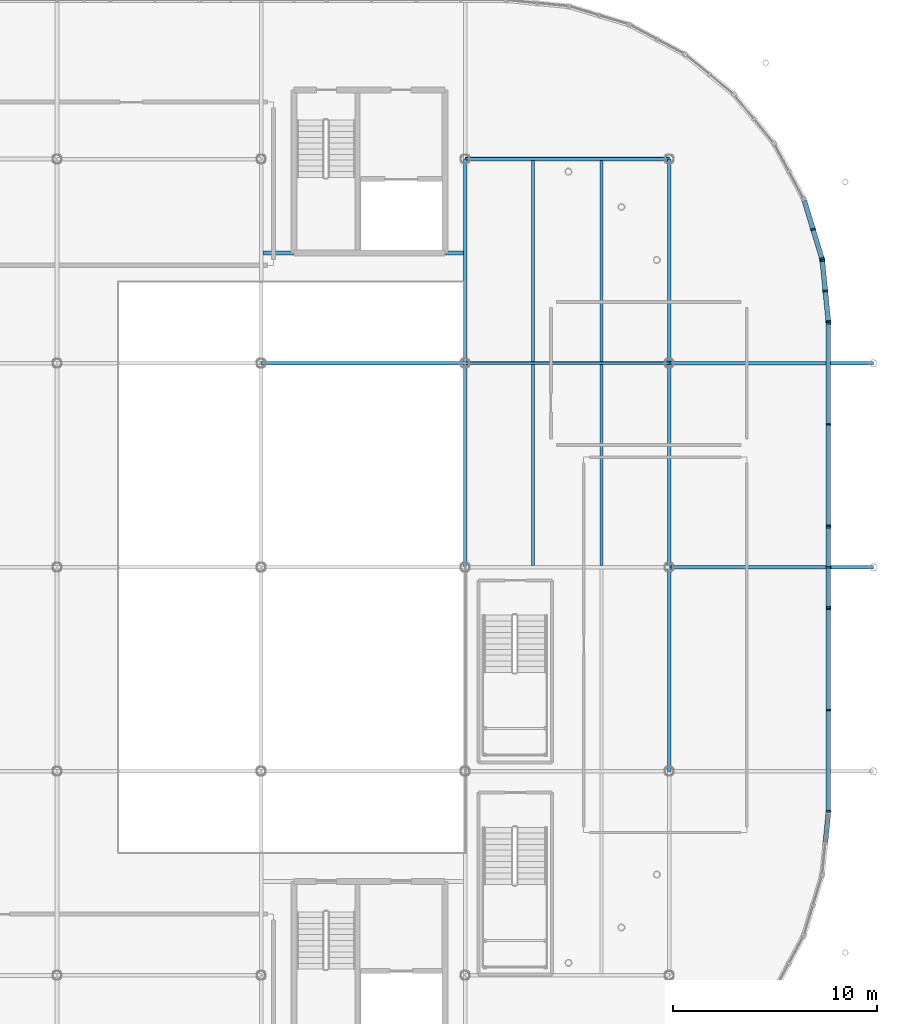
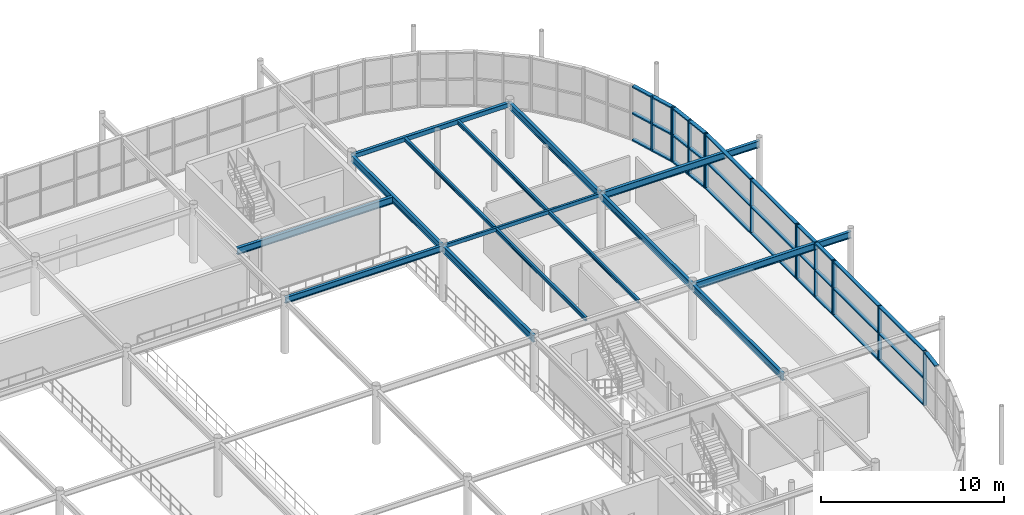
# One storey, part 60 of 98: 45 members, 15 beams, 6 elements without a shape of their own.
"""IFC4 building model written with IfcOpenShell, lengths in metres."""

from ifc_helpers import new_model, si_unit, derived_unit, direction, frame, origin, origin_2d_with_axis, place, context, subcontext, project, spatial, rectangle, hollow_rectangle, i_section, extrude, material, material_profile, profile_set, type_object, element, aggregate, save


model = new_model("IFC4")

# Units and contexts
model_context = context("Model", 3, precision=1e-05, world=origin(), true_north=direction((0.0, 1.0)))
body_context = subcontext(model_context, "Body", "Model", "MODEL_VIEW")
ifc_project = project(units=[si_unit("LENGTHUNIT", "METRE"), si_unit("AREAUNIT", "SQUARE_METRE"), si_unit("VOLUMEUNIT", "CUBIC_METRE"), si_unit("PLANEANGLEUNIT", "RADIAN"), si_unit("MASSUNIT", "GRAM", prefix="KILO"), derived_unit("THERMALTRANSMITTANCEUNIT", [(si_unit("POWERUNIT", "WATT"), 1), (si_unit("LENGTHUNIT", "METRE"), -2), (si_unit("THERMODYNAMICTEMPERATUREUNIT", "KELVIN"), -1)])], contexts=[model_context])

# Site, building, storey
site_placement = place(None, origin())
site = spatial("IfcSite", under=ifc_project, at=site_placement, CompositionType="ELEMENT")
building_placement = place(site_placement, origin())
building = spatial("IfcBuilding", under=site, at=building_placement, Name="Cinnabar Yard Market Hall", CompositionType="ELEMENT")
storey_placement = place(building_placement, frame((0.0, 0.0, 4.5)))
storey = spatial("IfcBuildingStorey", under=building, at=storey_placement, Name="L01", CompositionType="ELEMENT", Elevation=4.5)

# Beams
ifc_material_1 = material(Name="Steel Grade 300 (300 MPa)", Category="steel")
ifc_material_profile_1 = material_profile(ifc_material_1, i_section(OverallWidth=0.18994140625, OverallDepth=0.453857421875, WebThickness=0.008544921875, FlangeThickness=0.0126953125, FilletRadius=0.011474609375, at=origin_2d_with_axis()), Name="460UB67.1")
ifc_profile_set_1 = profile_set([ifc_material_profile_1], Name="Steel Grade 300 (300 MPa)")
beam_type_1 = type_object("IfcBeamType", Name="BM-B05", PredefinedType="BEAM", material=ifc_profile_set_1)
beam_1_placement = place(storey_placement, frame((136.080078125, 59.39990234375, 3.423095703125), z_axis=(1.0, 0.0, 0.0), x_axis=(0.0, 1.0, 0.0)))
element("IfcBeam", 1, at=beam_1_placement, inside=storey, type_object=beam_type_1, Name="L01 Core Trimmer Girder 00145", PredefinedType="BEAM", context=body_context, shape_type="SweptSolid", body=[
    extrude(i_section(OverallWidth=0.18994140625, OverallDepth=0.453857421875, WebThickness=0.008544921875, FlangeThickness=0.0126953125, FilletRadius=0.011474609375, at=origin_2d_with_axis()), origin(), (0.0, 0.0, 1.0), 9.83984375),
])
for number, where, z_axis, x_axis, name in (
    (2, (146.0, 44.0, 3.423095703125), (0.0, 1.0, 0.0), (-1.0, 0.0, 0.0), "L01 Gallery Girder Y 00346"),
    (3, (146.0, 54.0, 3.423095703125), (0.0, 1.0, 0.0), (-1.0, 0.0, 0.0), "L01 Gallery Girder Y 00349"),
    (4, (156.0, 34.0, 3.423095703125), (0.0, 1.0, 0.0), (-1.0, 0.0, 0.0), "L01 Gallery Girder Y 00353"),
    (5, (156.0, 44.0, 3.423095703125), (0.0, 1.0, 0.0), (-1.0, 0.0, 0.0), "L01 Gallery Girder Y 00354"),
    (6, (156.0, 54.0, 3.423095703125), (0.0, 1.0, 0.0), (-1.0, 0.0, 0.0), "L01 Gallery Girder Y 00355"),
):
    element("IfcBeam", number, at=place(storey_placement, frame(where, z_axis=z_axis, x_axis=x_axis)), inside=storey, type_object=beam_type_1, Name=name, PredefinedType="BEAM", context=body_context, shape_type="SweptSolid", body=[
        extrude(i_section(OverallWidth=0.18994140625, OverallDepth=0.453857421875, WebThickness=0.008544921875, FlangeThickness=0.0126953125, FilletRadius=0.011474609375, at=origin_2d_with_axis()), origin(), (0.0, 0.0, 1.0), 10.0),
    ])
ifc_material_profile_2 = material_profile(ifc_material_1, i_section(OverallWidth=0.18994140625, OverallDepth=0.453857421875, WebThickness=0.008544921875, FlangeThickness=0.0126953125, FilletRadius=0.011474609375, at=origin_2d_with_axis()), Name="460UB67.1")
ifc_profile_set_2 = profile_set([ifc_material_profile_2], Name="Steel Grade 300 (300 MPa)")
beam_type_2 = type_object("IfcBeamType", Name="BM-B05E", PredefinedType="BEAM", material=ifc_profile_set_2)
for number, where, z_axis, x_axis, name in (
    (7, (156.0, 44.0, 3.423095703125), (1.0, 0.0, 0.0), (0.0, 1.0, 0.0), "L01 Gallery East Tie 00304"),
    (8, (156.0, 54.0, 3.423095703125), (1.0, 0.0, 0.0), (0.0, 1.0, 0.0), "L01 Gallery East Tie 00306"),
):
    element("IfcBeam", number, at=place(storey_placement, frame(where, z_axis=z_axis, x_axis=x_axis)), inside=storey, type_object=beam_type_2, Name=name, PredefinedType="BEAM", context=body_context, shape_type="SweptSolid", body=[
        extrude(i_section(OverallWidth=0.18994140625, OverallDepth=0.453857421875, WebThickness=0.008544921875, FlangeThickness=0.0126953125, FilletRadius=0.011474609375, at=origin_2d_with_axis()), origin(), (0.0, 0.0, 1.0), 10.0),
    ])
ifc_material_profile_3 = material_profile(ifc_material_1, i_section(OverallWidth=0.177978515625, OverallDepth=0.402587890625, WebThickness=0.007568359375, FlangeThickness=0.010986328125, FilletRadius=0.011474609375, at=origin_2d_with_axis()), Name="410UB53.7")
ifc_profile_set_3 = profile_set([ifc_material_profile_3], Name="Steel Grade 300 (300 MPa)")
beam_type_3 = type_object("IfcBeamType", Name="BM-B15", PredefinedType="BEAM", material=ifc_profile_set_3)
beam_2_placement = place(storey_placement, frame((136.0, 54.0, 3.44873046875), z_axis=(1.0, 0.0, 0.0), x_axis=(0.0, 1.0, 0.0)))
element("IfcBeam", 9, at=beam_2_placement, inside=storey, type_object=beam_type_3, Name="L01 Gallery Girder X 00281", PredefinedType="BEAM", context=body_context, shape_type="SweptSolid", body=[
    extrude(i_section(OverallWidth=0.177978515625, OverallDepth=0.402587890625, WebThickness=0.007568359375, FlangeThickness=0.010986328125, FilletRadius=0.011474609375, at=origin_2d_with_axis()), origin(), (0.0, 0.0, 1.0), 10.0),
])
ifc_material_profile_4 = material_profile(ifc_material_1, i_section(OverallWidth=0.14599609375, OverallDepth=0.256103515625, WebThickness=0.00634765625, FlangeThickness=0.010986328125, FilletRadius=0.0087890625, at=origin_2d_with_axis()), Name="250UB37.3")
ifc_profile_set_4 = profile_set([ifc_material_profile_4], Name="Steel Grade 300 (300 MPa)")
beam_type_4 = type_object("IfcBeamType", Name="BM-J03", PredefinedType="JOIST", material=ifc_profile_set_4)
for number, where, z_axis, x_axis, name in (
    (10, (149.330078125, 44.074951171875, 3.52197265625), (0.0, 1.0, 0.0), (-1.0, 0.0, 0.0), "L01 Gallery Joist 00347"),
    (11, (152.669921875, 44.074951171875, 3.52197265625), (0.0, 1.0, 0.0), (-1.0, 0.0, 0.0), "L01 Gallery Joist 00348"),
    (12, (149.330078125, 54.074951171875, 3.52197265625), (0.0, 1.0, 0.0), (-1.0, 0.0, 0.0), "L01 Gallery Joist 00350"),
    (13, (152.669921875, 54.074951171875, 3.52197265625), (0.0, 1.0, 0.0), (-1.0, 0.0, 0.0), "L01 Gallery Joist 00351"),
):
    element("IfcBeam", number, at=place(storey_placement, frame(where, z_axis=z_axis, x_axis=x_axis)), inside=storey, type_object=beam_type_4, Name=name, PredefinedType="JOIST", context=body_context, shape_type="SweptSolid", body=[
        extrude(i_section(OverallWidth=0.14599609375, OverallDepth=0.256103515625, WebThickness=0.00634765625, FlangeThickness=0.010986328125, FilletRadius=0.0087890625, at=origin_2d_with_axis()), origin(), (0.0, 0.0, 1.0), 9.85009765625),
    ])
ifc_material_2 = material(Name="Cold-formed steel C350L0", Category="steel")
ifc_material_profile_5 = material_profile(ifc_material_2, hollow_rectangle(XDim=0.14990234375, YDim=0.25, WallThickness=0.006103515625, InnerFilletRadius=0.006103515625, OuterFilletRadius=0.011962890625, at=origin_2d_with_axis()), Name="250x150x6.0RHS")
ifc_profile_set_5 = profile_set([ifc_material_profile_5], Name="Cold-formed steel C350L0")
beam_type_5 = type_object("IfcBeamType", Name="BM-SP03", PredefinedType="SPANDREL", material=ifc_profile_set_5)
beam_3_placement = place(storey_placement, frame((146.0, 54.0, 3.52490234375), z_axis=(1.0, 0.0, 0.0), x_axis=(0.0, 1.0, 0.0)))
element("IfcBeam", 14, at=beam_3_placement, inside=storey, type_object=beam_type_5, Name="L01 Gallery Girder X 00285", PredefinedType="SPANDREL", context=body_context, shape_type="SweptSolid", body=[
    extrude(hollow_rectangle(XDim=0.14990234375, YDim=0.25, WallThickness=0.006103515625, InnerFilletRadius=0.006103515625, OuterFilletRadius=0.011962890625, at=origin_2d_with_axis()), origin(), (0.0, 0.0, 1.0), 10.0),
])
ifc_material_profile_6 = material_profile(ifc_material_2, hollow_rectangle(XDim=0.199951171875, YDim=0.300048828125, WallThickness=0.008056640625, InnerFilletRadius=0.008056640625, OuterFilletRadius=0.01611328125, at=origin_2d_with_axis()), Name="300x200x8.0RHS")
ifc_profile_set_6 = profile_set([ifc_material_profile_6], Name="Cold-formed steel C350L0")
beam_type_6 = type_object("IfcBeamType", Name="BM-SP04", PredefinedType="SPANDREL", material=ifc_profile_set_6)
beam_4_placement = place(storey_placement, frame((146.0, 64.0, 3.5), z_axis=(1.0, 0.0, 0.0), x_axis=(0.0, 1.0, 0.0)))
element("IfcBeam", 15, at=beam_4_placement, inside=storey, type_object=beam_type_6, Name="L01 Gallery Girder X 00286", PredefinedType="SPANDREL", context=body_context, shape_type="SweptSolid", body=[
    extrude(hollow_rectangle(XDim=0.199951171875, YDim=0.300048828125, WallThickness=0.008056640625, InnerFilletRadius=0.008056640625, OuterFilletRadius=0.01611328125, at=origin_2d_with_axis()), origin(), (0.0, 0.0, 1.0), 10.0),
])

# Curtain wall, members
ifc_material_3 = material(Name="Anodised bronze aluminium curved-chord facade", Category="aluminium")
curtain_wall_type_1 = type_object("IfcCurtainWallType", Name="CW-CWC031x36", PredefinedType="NOTDEFINED", material=ifc_material_3)
curtain_wall_1_placement = place(storey_placement, origin())
curtain_wall_1 = element("IfcCurtainWall", 16, at=curtain_wall_1_placement, inside=storey, type_object=curtain_wall_type_1, Name="Corner NE Chord 1 L01", PredefinedType="NOTDEFINED")
ifc_material_4 = material(Name="Anodised bronze aluminium", Category="aluminium")
ifc_material_profile_7 = material_profile(ifc_material_4, rectangle(XDim=0.239990234375, YDim=0.090087890625, at=origin_2d_with_axis()), Name="MUL-CWC")
ifc_profile_set_7 = profile_set([ifc_material_profile_7], Name="Anodised bronze aluminium")
member_type_1 = type_object("IfcMemberType", Name="CWM-CWC", PredefinedType="MULLION", material=ifc_profile_set_7)
member_1_placement = place(storey_placement, frame((163.795654296875, 56.044677734375, 0.0), z_axis=(0.0, 0.0, 1.0), x_axis=(-0.995184408637, -0.098020369342, 0.0)))
member_1 = element("IfcMember", 17, at=member_1_placement, type_object=member_type_1, Name="CWC031x36 mullion 1", PredefinedType="MULLION", context=body_context, shape_type="SweptSolid", body=[
    extrude(rectangle(XDim=0.239990234375, YDim=0.090087890625, at=origin_2d_with_axis()), origin(), (0.0, 0.0, 1.0), 3.64990234375),
])
member_2_placement = place(storey_placement, frame((163.648193359375, 57.541259765625, 0.0), z_axis=(0.0, 0.0, 1.0), x_axis=(-0.995184408637, -0.098020369342, 0.0)))
member_2 = element("IfcMember", 18, at=member_2_placement, type_object=member_type_1, Name="CWC031x36 mullion 2", PredefinedType="MULLION", context=body_context, shape_type="SweptSolid", body=[
    extrude(rectangle(XDim=0.239990234375, YDim=0.090087890625, at=origin_2d_with_axis()), origin(), (0.0, 0.0, 1.0), 3.64990234375),
])
member_3_placement = place(storey_placement, frame((163.500732421875, 59.03759765625, 0.0), z_axis=(0.0, 0.0, 1.0), x_axis=(-0.995184408637, -0.098020369342, 0.0)))
member_3 = element("IfcMember", 19, at=member_3_placement, type_object=member_type_1, Name="CWC031x36 mullion 3", PredefinedType="MULLION", context=body_context, shape_type="SweptSolid", body=[
    extrude(rectangle(XDim=0.239990234375, YDim=0.090087890625, at=origin_2d_with_axis()), origin(), (0.0, 0.0, 1.0), 3.64990234375),
])

curtain_wall_2_placement = place(storey_placement, origin())
curtain_wall_2 = element("IfcCurtainWall", 20, at=curtain_wall_2_placement, inside=storey, type_object=curtain_wall_type_1, Name="Corner NE Chord 2 L01", PredefinedType="NOTDEFINED")
member_4_placement = place(storey_placement, frame((163.4833984375, 59.12548828125, 0.0), z_axis=(0.0, 0.0, 1.0), x_axis=(-0.956942090856, -0.290278891325, 0.0)))
member_4 = element("IfcMember", 21, at=member_4_placement, type_object=member_type_1, Name="CWC031x36 mullion 1", PredefinedType="MULLION", context=body_context, shape_type="SweptSolid", body=[
    extrude(rectangle(XDim=0.239990234375, YDim=0.090087890625, at=origin_2d_with_axis()), origin(), (0.0, 0.0, 1.0), 3.64990234375),
])
member_5_placement = place(storey_placement, frame((163.046875, 60.564453125, 0.0), z_axis=(0.0, 0.0, 1.0), x_axis=(-0.956942090856, -0.290278891325, 0.0)))
member_5 = element("IfcMember", 22, at=member_5_placement, type_object=member_type_1, Name="CWC031x36 mullion 2", PredefinedType="MULLION", context=body_context, shape_type="SweptSolid", body=[
    extrude(rectangle(XDim=0.239990234375, YDim=0.090087890625, at=origin_2d_with_axis()), origin(), (0.0, 0.0, 1.0), 3.64990234375),
])

ifc_material_5 = material(Name="Anodised bronze aluminium and low-E glass", Category="aluminium")
curtain_wall_type_2 = type_object("IfcCurtainWallType", Name="CW-CWH100x36", PredefinedType="NOTDEFINED", material=ifc_material_5)
curtain_wall_3_placement = place(storey_placement, origin())
curtain_wall_3 = element("IfcCurtainWall", 23, at=curtain_wall_3_placement, inside=storey, type_object=curtain_wall_type_2, Name="Market Hall East Gallery Glazing W1", PredefinedType="NOTDEFINED")
ifc_material_profile_8 = material_profile(ifc_material_4, rectangle(XDim=0.219970703125, YDim=0.080078125, at=origin_2d_with_axis()), Name="MUL-CWH")
ifc_profile_set_8 = profile_set([ifc_material_profile_8], Name="Anodised bronze aluminium")
member_type_2 = type_object("IfcMemberType", Name="CWM-CWH", PredefinedType="MULLION", material=ifc_profile_set_8)
member_6_placement = place(storey_placement, frame((163.800048828125, 32.0400390625, 0.0), z_axis=(0.0, 0.0, 1.0), x_axis=(-1.0, 0.0, 0.0)))
member_6 = element("IfcMember", 24, at=member_6_placement, type_object=member_type_2, Name="CWH100x36 mullion 1", PredefinedType="MULLION", context=body_context, shape_type="SweptSolid", body=[
    extrude(rectangle(XDim=0.219970703125, YDim=0.080078125, at=origin_2d_with_axis()), origin(), (0.0, 0.0, 1.0), 3.64990234375),
])
member_7_placement = place(storey_placement, frame((163.800048828125, 37.0, 0.0), z_axis=(0.0, 0.0, 1.0), x_axis=(-1.0, 0.0, 0.0)))
member_7 = element("IfcMember", 25, at=member_7_placement, type_object=member_type_2, Name="CWH100x36 mullion 2", PredefinedType="MULLION", context=body_context, shape_type="SweptSolid", body=[
    extrude(rectangle(XDim=0.219970703125, YDim=0.080078125, at=origin_2d_with_axis()), origin(), (0.0, 0.0, 1.0), 3.64990234375),
])
member_8_placement = place(storey_placement, frame((163.800048828125, 41.9599609375, 0.0), z_axis=(0.0, 0.0, 1.0), x_axis=(-1.0, 0.0, 0.0)))
member_8 = element("IfcMember", 26, at=member_8_placement, type_object=member_type_2, Name="CWH100x36 mullion 3", PredefinedType="MULLION", context=body_context, shape_type="SweptSolid", body=[
    extrude(rectangle(XDim=0.219970703125, YDim=0.080078125, at=origin_2d_with_axis()), origin(), (0.0, 0.0, 1.0), 3.64990234375),
])

curtain_wall_type_3 = type_object("IfcCurtainWallType", Name="CW-CWH040x36", PredefinedType="NOTDEFINED", material=ifc_material_5)
curtain_wall_4_placement = place(storey_placement, origin())
curtain_wall_4 = element("IfcCurtainWall", 27, at=curtain_wall_4_placement, inside=storey, type_object=curtain_wall_type_3, Name="Market Hall East Gallery Glazing WPT", PredefinedType="NOTDEFINED")
member_9_placement = place(storey_placement, frame((163.800048828125, 42.0400390625, 0.0), z_axis=(0.0, 0.0, 1.0), x_axis=(-1.0, 0.0, 0.0)))
member_9 = element("IfcMember", 28, at=member_9_placement, type_object=member_type_2, Name="CWH040x36 mullion 1", PredefinedType="MULLION", context=body_context, shape_type="SweptSolid", body=[
    extrude(rectangle(XDim=0.219970703125, YDim=0.080078125, at=origin_2d_with_axis()), origin(), (0.0, 0.0, 1.0), 3.64990234375),
])
member_10_placement = place(storey_placement, frame((163.800048828125, 44.0, 0.0), z_axis=(0.0, 0.0, 1.0), x_axis=(-1.0, 0.0, 0.0)))
member_10 = element("IfcMember", 29, at=member_10_placement, type_object=member_type_2, Name="CWH040x36 mullion 2", PredefinedType="MULLION", context=body_context, shape_type="SweptSolid", body=[
    extrude(rectangle(XDim=0.219970703125, YDim=0.080078125, at=origin_2d_with_axis()), origin(), (0.0, 0.0, 1.0), 3.64990234375),
])
member_11_placement = place(storey_placement, frame((163.800048828125, 45.9599609375, 0.0), z_axis=(0.0, 0.0, 1.0), x_axis=(-1.0, 0.0, 0.0)))
member_11 = element("IfcMember", 30, at=member_11_placement, type_object=member_type_2, Name="CWH040x36 mullion 3", PredefinedType="MULLION", context=body_context, shape_type="SweptSolid", body=[
    extrude(rectangle(XDim=0.219970703125, YDim=0.080078125, at=origin_2d_with_axis()), origin(), (0.0, 0.0, 1.0), 3.64990234375),
])

curtain_wall_5_placement = place(storey_placement, origin())
curtain_wall_5 = element("IfcCurtainWall", 31, at=curtain_wall_5_placement, inside=storey, type_object=curtain_wall_type_2, Name="Market Hall East Gallery Glazing W2", PredefinedType="NOTDEFINED")
member_12_placement = place(storey_placement, frame((163.800048828125, 46.0400390625, 0.0), z_axis=(0.0, 0.0, 1.0), x_axis=(-1.0, 0.0, 0.0)))
member_12 = element("IfcMember", 32, at=member_12_placement, type_object=member_type_2, Name="CWH100x36 mullion 1", PredefinedType="MULLION", context=body_context, shape_type="SweptSolid", body=[
    extrude(rectangle(XDim=0.219970703125, YDim=0.080078125, at=origin_2d_with_axis()), origin(), (0.0, 0.0, 1.0), 3.64990234375),
])
member_13_placement = place(storey_placement, frame((163.800048828125, 51.0, 0.0), z_axis=(0.0, 0.0, 1.0), x_axis=(-1.0, 0.0, 0.0)))
member_13 = element("IfcMember", 33, at=member_13_placement, type_object=member_type_2, Name="CWH100x36 mullion 2", PredefinedType="MULLION", context=body_context, shape_type="SweptSolid", body=[
    extrude(rectangle(XDim=0.219970703125, YDim=0.080078125, at=origin_2d_with_axis()), origin(), (0.0, 0.0, 1.0), 3.64990234375),
])
member_14_placement = place(storey_placement, frame((163.800048828125, 55.9599609375, 0.0), z_axis=(0.0, 0.0, 1.0), x_axis=(-1.0, 0.0, 0.0)))
member_14 = element("IfcMember", 34, at=member_14_placement, type_object=member_type_2, Name="CWH100x36 mullion 3", PredefinedType="MULLION", context=body_context, shape_type="SweptSolid", body=[
    extrude(rectangle(XDim=0.219970703125, YDim=0.080078125, at=origin_2d_with_axis()), origin(), (0.0, 0.0, 1.0), 3.64990234375),
])

# Curtain wall, member
curtain_wall_6_placement = place(storey_placement, origin())
curtain_wall_6 = element("IfcCurtainWall", 35, at=curtain_wall_6_placement, inside=storey, type_object=curtain_wall_type_1, Name="Corner SE Chord 8 L01", PredefinedType="NOTDEFINED")
ifc_material_profile_9 = material_profile(ifc_material_4, rectangle(XDim=0.239990234375, YDim=0.090087890625, at=origin_2d_with_axis()), Name="TRN-CWC")
ifc_profile_set_9 = profile_set([ifc_material_profile_9], Name="Anodised bronze aluminium")
member_type_3 = type_object("IfcMemberType", Name="CWT-CWC", PredefinedType="USERDEFINED", material=ifc_profile_set_9)
member_15_placement = place(storey_placement, frame((163.652587890625, 30.503662109375, 3.60498046875), z_axis=(0.098101390058, 0.995176425197, 0.0), x_axis=(-0.995176425197, 0.098101390058, 0.0)))
member_15 = element("IfcMember", 36, at=member_15_placement, type_object=member_type_3, Name="CWC031x36 transom 2.3", ObjectType="TRANSOM", PredefinedType="USERDEFINED", context=body_context, shape_type="SweptSolid", body=[
    extrude(rectangle(XDim=0.239990234375, YDim=0.090087890625, at=origin_2d_with_axis()), origin(), (0.0, 0.0, 1.0), 1.41357421875),
])
aggregate(curtain_wall_6, [member_15])

# Member
member_16_placement = place(storey_placement, frame((163.791259765625, 56.089599609375, 0.044921875), z_axis=(-0.098101390058, 0.995176425197, 0.0), x_axis=(-0.995176425197, -0.098101390058, 0.0)))
member_16 = element("IfcMember", 37, at=member_16_placement, type_object=member_type_3, Name="CWC031x36 transom 1.1", ObjectType="TRANSOM", PredefinedType="USERDEFINED", context=body_context, shape_type="SweptSolid", body=[
    extrude(rectangle(XDim=0.239990234375, YDim=0.090087890625, at=origin_2d_with_axis()), origin(), (0.0, 0.0, 1.0), 1.41357421875),
])

member_17_placement = place(storey_placement, frame((163.791259765625, 56.089599609375, 1.824951171875), z_axis=(-0.098101390058, 0.995176425197, 0.0), x_axis=(-0.995176425197, -0.098101390058, 0.0)))
member_17 = element("IfcMember", 38, at=member_17_placement, type_object=member_type_3, Name="CWC031x36 transom 1.2", ObjectType="TRANSOM", PredefinedType="USERDEFINED", context=body_context, shape_type="SweptSolid", body=[
    extrude(rectangle(XDim=0.239990234375, YDim=0.090087890625, at=origin_2d_with_axis()), origin(), (0.0, 0.0, 1.0), 1.41357421875),
])

member_18_placement = place(storey_placement, frame((163.791259765625, 56.089599609375, 3.60498046875), z_axis=(-0.098101390058, 0.995176425197, 0.0), x_axis=(-0.995176425197, -0.098101390058, 0.0)))
member_18 = element("IfcMember", 39, at=member_18_placement, type_object=member_type_3, Name="CWC031x36 transom 1.3", ObjectType="TRANSOM", PredefinedType="USERDEFINED", context=body_context, shape_type="SweptSolid", body=[
    extrude(rectangle(XDim=0.239990234375, YDim=0.090087890625, at=origin_2d_with_axis()), origin(), (0.0, 0.0, 1.0), 1.41357421875),
])

member_19_placement = place(storey_placement, frame((163.643798828125, 57.5859375, 0.044921875), z_axis=(-0.098084531214, 0.995178086946, 0.0), x_axis=(-0.995178086946, -0.098084531214, 0.0)))
member_19 = element("IfcMember", 40, at=member_19_placement, type_object=member_type_3, Name="CWC031x36 transom 2.1", ObjectType="TRANSOM", PredefinedType="USERDEFINED", context=body_context, shape_type="SweptSolid", body=[
    extrude(rectangle(XDim=0.239990234375, YDim=0.090087890625, at=origin_2d_with_axis()), origin(), (0.0, 0.0, 1.0), 1.413818359375),
])

member_20_placement = place(storey_placement, frame((163.643798828125, 57.5859375, 1.824951171875), z_axis=(-0.098084531214, 0.995178086946, 0.0), x_axis=(-0.995178086946, -0.098084531214, 0.0)))
member_20 = element("IfcMember", 41, at=member_20_placement, type_object=member_type_3, Name="CWC031x36 transom 2.2", ObjectType="TRANSOM", PredefinedType="USERDEFINED", context=body_context, shape_type="SweptSolid", body=[
    extrude(rectangle(XDim=0.239990234375, YDim=0.090087890625, at=origin_2d_with_axis()), origin(), (0.0, 0.0, 1.0), 1.413818359375),
])

member_21_placement = place(storey_placement, frame((163.643798828125, 57.5859375, 3.60498046875), z_axis=(-0.098084531214, 0.995178086946, 0.0), x_axis=(-0.995178086946, -0.098084531214, 0.0)))
member_21 = element("IfcMember", 42, at=member_21_placement, type_object=member_type_3, Name="CWC031x36 transom 2.3", ObjectType="TRANSOM", PredefinedType="USERDEFINED", context=body_context, shape_type="SweptSolid", body=[
    extrude(rectangle(XDim=0.239990234375, YDim=0.090087890625, at=origin_2d_with_axis()), origin(), (0.0, 0.0, 1.0), 1.413818359375),
])

aggregate(curtain_wall_1, [member_1, member_2, member_3, member_16, member_17, member_18, member_19, member_20, member_21])

member_22_placement = place(storey_placement, frame((163.47021484375, 59.16845703125, 0.044921875), z_axis=(-0.290309352341, 0.956932850279, 0.0), x_axis=(-0.956932850279, -0.290309352341, 0.0)))
member_22 = element("IfcMember", 43, at=member_22_placement, type_object=member_type_3, Name="CWC031x36 transom 1.1", ObjectType="TRANSOM", PredefinedType="USERDEFINED", context=body_context, shape_type="SweptSolid", body=[
    extrude(rectangle(XDim=0.239990234375, YDim=0.090087890625, at=origin_2d_with_axis()), origin(), (0.0, 0.0, 1.0), 1.41357421875),
])

member_23_placement = place(storey_placement, frame((163.47021484375, 59.16845703125, 1.824951171875), z_axis=(-0.290309352341, 0.956932850279, 0.0), x_axis=(-0.956932850279, -0.290309352341, 0.0)))
member_23 = element("IfcMember", 44, at=member_23_placement, type_object=member_type_3, Name="CWC031x36 transom 1.2", ObjectType="TRANSOM", PredefinedType="USERDEFINED", context=body_context, shape_type="SweptSolid", body=[
    extrude(rectangle(XDim=0.239990234375, YDim=0.090087890625, at=origin_2d_with_axis()), origin(), (0.0, 0.0, 1.0), 1.41357421875),
])

member_24_placement = place(storey_placement, frame((163.47021484375, 59.16845703125, 3.60498046875), z_axis=(-0.290309352341, 0.956932850279, 0.0), x_axis=(-0.956932850279, -0.290309352341, 0.0)))
member_24 = element("IfcMember", 45, at=member_24_placement, type_object=member_type_3, Name="CWC031x36 transom 1.3", ObjectType="TRANSOM", PredefinedType="USERDEFINED", context=body_context, shape_type="SweptSolid", body=[
    extrude(rectangle(XDim=0.239990234375, YDim=0.090087890625, at=origin_2d_with_axis()), origin(), (0.0, 0.0, 1.0), 1.41357421875),
])

member_25_placement = place(storey_placement, frame((163.03369140625, 60.607421875, 0.044921875), z_axis=(-0.290151195166, 0.956980816915, 0.0), x_axis=(-0.956980816915, -0.290151195166, 0.0)))
member_25 = element("IfcMember", 46, at=member_25_placement, type_object=member_type_3, Name="CWC031x36 transom 2.1", ObjectType="TRANSOM", PredefinedType="USERDEFINED", context=body_context, shape_type="SweptSolid", body=[
    extrude(rectangle(XDim=0.239990234375, YDim=0.090087890625, at=origin_2d_with_axis()), origin(), (0.0, 0.0, 1.0), 1.41357421875),
])

member_26_placement = place(storey_placement, frame((163.03369140625, 60.607421875, 1.824951171875), z_axis=(-0.290151195166, 0.956980816915, 0.0), x_axis=(-0.956980816915, -0.290151195166, 0.0)))
member_26 = element("IfcMember", 47, at=member_26_placement, type_object=member_type_3, Name="CWC031x36 transom 2.2", ObjectType="TRANSOM", PredefinedType="USERDEFINED", context=body_context, shape_type="SweptSolid", body=[
    extrude(rectangle(XDim=0.239990234375, YDim=0.090087890625, at=origin_2d_with_axis()), origin(), (0.0, 0.0, 1.0), 1.41357421875),
])

member_27_placement = place(storey_placement, frame((163.03369140625, 60.607421875, 3.60498046875), z_axis=(-0.290151195166, 0.956980816915, 0.0), x_axis=(-0.956980816915, -0.290151195166, 0.0)))
member_27 = element("IfcMember", 48, at=member_27_placement, type_object=member_type_3, Name="CWC031x36 transom 2.3", ObjectType="TRANSOM", PredefinedType="USERDEFINED", context=body_context, shape_type="SweptSolid", body=[
    extrude(rectangle(XDim=0.239990234375, YDim=0.090087890625, at=origin_2d_with_axis()), origin(), (0.0, 0.0, 1.0), 1.41357421875),
])

aggregate(curtain_wall_2, [member_4, member_5, member_22, member_23, member_24, member_25, member_26, member_27])

ifc_material_profile_10 = material_profile(ifc_material_4, rectangle(XDim=0.219970703125, YDim=0.080078125, at=origin_2d_with_axis()), Name="TRN-CWH")
ifc_profile_set_10 = profile_set([ifc_material_profile_10], Name="Anodised bronze aluminium")
member_type_4 = type_object("IfcMemberType", Name="CWT-CWH", PredefinedType="USERDEFINED", material=ifc_profile_set_10)
member_28_placement = place(storey_placement, frame((163.800048828125, 32.080078125, 0.0400390625), z_axis=(0.0, 1.0, 0.0), x_axis=(-1.0, 0.0, 0.0)))
member_28 = element("IfcMember", 49, at=member_28_placement, type_object=member_type_4, Name="CWH100x36 transom 1.1", ObjectType="TRANSOM", PredefinedType="USERDEFINED", context=body_context, shape_type="SweptSolid", body=[
    extrude(rectangle(XDim=0.219970703125, YDim=0.080078125, at=origin_2d_with_axis()), origin(), (0.0, 0.0, 1.0), 4.8798828125),
])

member_29_placement = place(storey_placement, frame((163.800048828125, 32.080078125, 1.824951171875), z_axis=(0.0, 1.0, 0.0), x_axis=(-1.0, 0.0, 0.0)))
member_29 = element("IfcMember", 50, at=member_29_placement, type_object=member_type_4, Name="CWH100x36 transom 1.2", ObjectType="TRANSOM", PredefinedType="USERDEFINED", context=body_context, shape_type="SweptSolid", body=[
    extrude(rectangle(XDim=0.219970703125, YDim=0.080078125, at=origin_2d_with_axis()), origin(), (0.0, 0.0, 1.0), 4.8798828125),
])

member_30_placement = place(storey_placement, frame((163.800048828125, 32.080078125, 3.610107421875), z_axis=(0.0, 1.0, 0.0), x_axis=(-1.0, 0.0, 0.0)))
member_30 = element("IfcMember", 51, at=member_30_placement, type_object=member_type_4, Name="CWH100x36 transom 1.3", ObjectType="TRANSOM", PredefinedType="USERDEFINED", context=body_context, shape_type="SweptSolid", body=[
    extrude(rectangle(XDim=0.219970703125, YDim=0.080078125, at=origin_2d_with_axis()), origin(), (0.0, 0.0, 1.0), 4.8798828125),
])

member_31_placement = place(storey_placement, frame((163.800048828125, 37.0400390625, 0.0400390625), z_axis=(0.0, 1.0, 0.0), x_axis=(-1.0, 0.0, 0.0)))
member_31 = element("IfcMember", 52, at=member_31_placement, type_object=member_type_4, Name="CWH100x36 transom 2.1", ObjectType="TRANSOM", PredefinedType="USERDEFINED", context=body_context, shape_type="SweptSolid", body=[
    extrude(rectangle(XDim=0.219970703125, YDim=0.080078125, at=origin_2d_with_axis()), origin(), (0.0, 0.0, 1.0), 4.8798828125),
])

member_32_placement = place(storey_placement, frame((163.800048828125, 37.0400390625, 1.824951171875), z_axis=(0.0, 1.0, 0.0), x_axis=(-1.0, 0.0, 0.0)))
member_32 = element("IfcMember", 53, at=member_32_placement, type_object=member_type_4, Name="CWH100x36 transom 2.2", ObjectType="TRANSOM", PredefinedType="USERDEFINED", context=body_context, shape_type="SweptSolid", body=[
    extrude(rectangle(XDim=0.219970703125, YDim=0.080078125, at=origin_2d_with_axis()), origin(), (0.0, 0.0, 1.0), 4.8798828125),
])

member_33_placement = place(storey_placement, frame((163.800048828125, 37.0400390625, 3.610107421875), z_axis=(0.0, 1.0, 0.0), x_axis=(-1.0, 0.0, 0.0)))
member_33 = element("IfcMember", 54, at=member_33_placement, type_object=member_type_4, Name="CWH100x36 transom 2.3", ObjectType="TRANSOM", PredefinedType="USERDEFINED", context=body_context, shape_type="SweptSolid", body=[
    extrude(rectangle(XDim=0.219970703125, YDim=0.080078125, at=origin_2d_with_axis()), origin(), (0.0, 0.0, 1.0), 4.8798828125),
])

aggregate(curtain_wall_3, [member_6, member_7, member_8, member_28, member_29, member_30, member_31, member_32, member_33])

member_34_placement = place(storey_placement, frame((163.800048828125, 42.080078125, 0.0400390625), z_axis=(0.0, 1.0, 0.0), x_axis=(-1.0, 0.0, 0.0)))
member_34 = element("IfcMember", 55, at=member_34_placement, type_object=member_type_4, Name="CWH040x36 transom 1.1", ObjectType="TRANSOM", PredefinedType="USERDEFINED", context=body_context, shape_type="SweptSolid", body=[
    extrude(rectangle(XDim=0.219970703125, YDim=0.080078125, at=origin_2d_with_axis()), origin(), (0.0, 0.0, 1.0), 1.8798828125),
])

member_35_placement = place(storey_placement, frame((163.800048828125, 42.080078125, 1.824951171875), z_axis=(0.0, 1.0, 0.0), x_axis=(-1.0, 0.0, 0.0)))
member_35 = element("IfcMember", 56, at=member_35_placement, type_object=member_type_4, Name="CWH040x36 transom 1.2", ObjectType="TRANSOM", PredefinedType="USERDEFINED", context=body_context, shape_type="SweptSolid", body=[
    extrude(rectangle(XDim=0.219970703125, YDim=0.080078125, at=origin_2d_with_axis()), origin(), (0.0, 0.0, 1.0), 1.8798828125),
])

member_36_placement = place(storey_placement, frame((163.800048828125, 42.080078125, 3.610107421875), z_axis=(0.0, 1.0, 0.0), x_axis=(-1.0, 0.0, 0.0)))
member_36 = element("IfcMember", 57, at=member_36_placement, type_object=member_type_4, Name="CWH040x36 transom 1.3", ObjectType="TRANSOM", PredefinedType="USERDEFINED", context=body_context, shape_type="SweptSolid", body=[
    extrude(rectangle(XDim=0.219970703125, YDim=0.080078125, at=origin_2d_with_axis()), origin(), (0.0, 0.0, 1.0), 1.8798828125),
])

member_37_placement = place(storey_placement, frame((163.800048828125, 44.0400390625, 0.0400390625), z_axis=(0.0, 1.0, 0.0), x_axis=(-1.0, 0.0, 0.0)))
member_37 = element("IfcMember", 58, at=member_37_placement, type_object=member_type_4, Name="CWH040x36 transom 2.1", ObjectType="TRANSOM", PredefinedType="USERDEFINED", context=body_context, shape_type="SweptSolid", body=[
    extrude(rectangle(XDim=0.219970703125, YDim=0.080078125, at=origin_2d_with_axis()), origin(), (0.0, 0.0, 1.0), 1.8798828125),
])

member_38_placement = place(storey_placement, frame((163.800048828125, 44.0400390625, 1.824951171875), z_axis=(0.0, 1.0, 0.0), x_axis=(-1.0, 0.0, 0.0)))
member_38 = element("IfcMember", 59, at=member_38_placement, type_object=member_type_4, Name="CWH040x36 transom 2.2", ObjectType="TRANSOM", PredefinedType="USERDEFINED", context=body_context, shape_type="SweptSolid", body=[
    extrude(rectangle(XDim=0.219970703125, YDim=0.080078125, at=origin_2d_with_axis()), origin(), (0.0, 0.0, 1.0), 1.8798828125),
])

member_39_placement = place(storey_placement, frame((163.800048828125, 44.0400390625, 3.610107421875), z_axis=(0.0, 1.0, 0.0), x_axis=(-1.0, 0.0, 0.0)))
member_39 = element("IfcMember", 60, at=member_39_placement, type_object=member_type_4, Name="CWH040x36 transom 2.3", ObjectType="TRANSOM", PredefinedType="USERDEFINED", context=body_context, shape_type="SweptSolid", body=[
    extrude(rectangle(XDim=0.219970703125, YDim=0.080078125, at=origin_2d_with_axis()), origin(), (0.0, 0.0, 1.0), 1.8798828125),
])

aggregate(curtain_wall_4, [member_9, member_10, member_11, member_34, member_35, member_36, member_37, member_38, member_39])

member_40_placement = place(storey_placement, frame((163.800048828125, 46.080078125, 0.0400390625), z_axis=(0.0, 1.0, 0.0), x_axis=(-1.0, 0.0, 0.0)))
member_40 = element("IfcMember", 61, at=member_40_placement, type_object=member_type_4, Name="CWH100x36 transom 1.1", ObjectType="TRANSOM", PredefinedType="USERDEFINED", context=body_context, shape_type="SweptSolid", body=[
    extrude(rectangle(XDim=0.219970703125, YDim=0.080078125, at=origin_2d_with_axis()), origin(), (0.0, 0.0, 1.0), 4.8798828125),
])

member_41_placement = place(storey_placement, frame((163.800048828125, 46.080078125, 1.824951171875), z_axis=(0.0, 1.0, 0.0), x_axis=(-1.0, 0.0, 0.0)))
member_41 = element("IfcMember", 62, at=member_41_placement, type_object=member_type_4, Name="CWH100x36 transom 1.2", ObjectType="TRANSOM", PredefinedType="USERDEFINED", context=body_context, shape_type="SweptSolid", body=[
    extrude(rectangle(XDim=0.219970703125, YDim=0.080078125, at=origin_2d_with_axis()), origin(), (0.0, 0.0, 1.0), 4.8798828125),
])

member_42_placement = place(storey_placement, frame((163.800048828125, 46.080078125, 3.610107421875), z_axis=(0.0, 1.0, 0.0), x_axis=(-1.0, 0.0, 0.0)))
member_42 = element("IfcMember", 63, at=member_42_placement, type_object=member_type_4, Name="CWH100x36 transom 1.3", ObjectType="TRANSOM", PredefinedType="USERDEFINED", context=body_context, shape_type="SweptSolid", body=[
    extrude(rectangle(XDim=0.219970703125, YDim=0.080078125, at=origin_2d_with_axis()), origin(), (0.0, 0.0, 1.0), 4.8798828125),
])

member_43_placement = place(storey_placement, frame((163.800048828125, 51.0400390625, 0.0400390625), z_axis=(0.0, 1.0, 0.0), x_axis=(-1.0, 0.0, 0.0)))
member_43 = element("IfcMember", 64, at=member_43_placement, type_object=member_type_4, Name="CWH100x36 transom 2.1", ObjectType="TRANSOM", PredefinedType="USERDEFINED", context=body_context, shape_type="SweptSolid", body=[
    extrude(rectangle(XDim=0.219970703125, YDim=0.080078125, at=origin_2d_with_axis()), origin(), (0.0, 0.0, 1.0), 4.8798828125),
])

member_44_placement = place(storey_placement, frame((163.800048828125, 51.0400390625, 1.824951171875), z_axis=(0.0, 1.0, 0.0), x_axis=(-1.0, 0.0, 0.0)))
member_44 = element("IfcMember", 65, at=member_44_placement, type_object=member_type_4, Name="CWH100x36 transom 2.2", ObjectType="TRANSOM", PredefinedType="USERDEFINED", context=body_context, shape_type="SweptSolid", body=[
    extrude(rectangle(XDim=0.219970703125, YDim=0.080078125, at=origin_2d_with_axis()), origin(), (0.0, 0.0, 1.0), 4.8798828125),
])

member_45_placement = place(storey_placement, frame((163.800048828125, 51.0400390625, 3.610107421875), z_axis=(0.0, 1.0, 0.0), x_axis=(-1.0, 0.0, 0.0)))
member_45 = element("IfcMember", 66, at=member_45_placement, type_object=member_type_4, Name="CWH100x36 transom 2.3", ObjectType="TRANSOM", PredefinedType="USERDEFINED", context=body_context, shape_type="SweptSolid", body=[
    extrude(rectangle(XDim=0.219970703125, YDim=0.080078125, at=origin_2d_with_axis()), origin(), (0.0, 0.0, 1.0), 4.8798828125),
])

aggregate(curtain_wall_5, [member_12, member_13, member_14, member_40, member_41, member_42, member_43, member_44, member_45])

save(model, "model.ifc")
